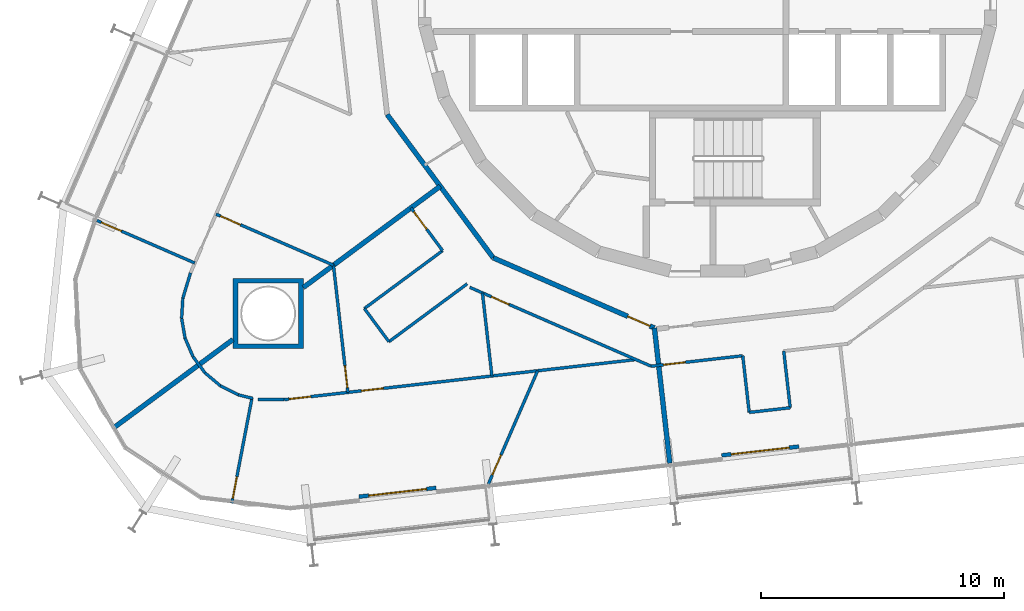
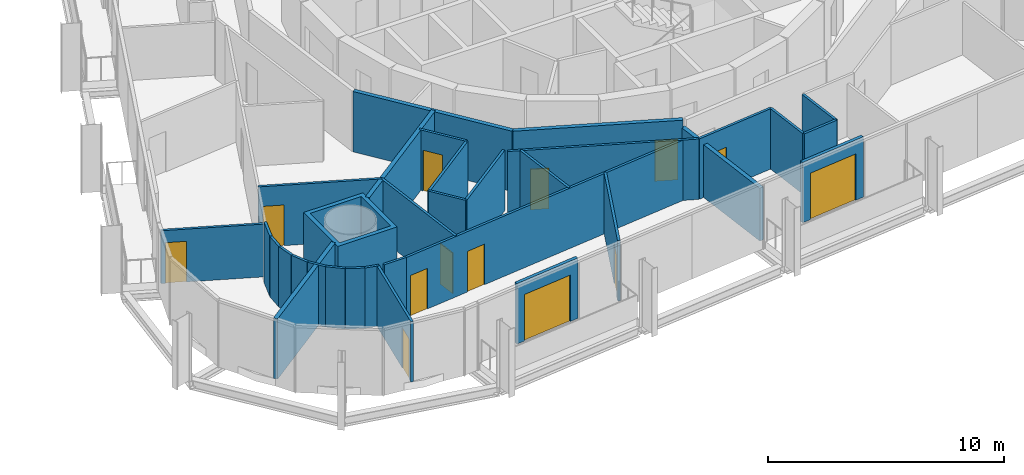
# One storey, part 16 of 24: 33 walls, 13 doors, 13 openings.
"""IFC4 building model written with IfcOpenShell, lengths in metres."""

from ifc_helpers import new_model, si_unit, direction, frame, frame_2d, origin, place, context, subcontext, project, spatial, polyline, rectangle, outline, extrude, material, layer, layer_set, type_object, element, fill, save


model = new_model("IFC4")

# Units and contexts
model_context = context("Model", 3, precision=1e-05, world=origin(), true_north=direction((0.0, 1.0)))
body_context = subcontext(model_context, "Body", "Model", "MODEL_VIEW")
ifc_project = project(units=[si_unit("LENGTHUNIT", "METRE"), si_unit("AREAUNIT", "SQUARE_METRE"), si_unit("VOLUMEUNIT", "CUBIC_METRE"), si_unit("PLANEANGLEUNIT", "RADIAN"), si_unit("MASSUNIT", "GRAM", prefix="KILO")], contexts=[model_context])

# Site, building, storey
site_placement = place(None, origin())
site = spatial("IfcSite", under=ifc_project, at=site_placement, CompositionType="ELEMENT")
building_placement = place(site_placement, origin())
building = spatial("IfcBuilding", under=site, at=building_placement, Name="Spindle Arch Residences", CompositionType="ELEMENT")
storey_placement = place(building_placement, frame((0.0, 0.0, 94.199951171875)))
storey = spatial("IfcBuildingStorey", under=building, at=storey_placement, Name="L22", CompositionType="ELEMENT", Elevation=94.199951171875)

# Wall
ifc_material_1 = material(Name="Calcium silicate block, plastered")
ifc_layer_1 = layer(ifc_material_1, 0.199951171875)
ifc_layer_set_1 = layer_set([ifc_layer_1], Name="Corridor wall 200")
wall_type_1 = type_object("IfcWallType", Name="Corridor wall 200", PredefinedType="STANDARD", material=ifc_layer_set_1)
wall_1_placement = place(storey_placement, frame((-13.1962890625, -5.1982421875, 0.0), z_axis=(0.0, 0.0, 1.0), x_axis=(0.594805187394, -0.803869883159, 0.0)))
element("IfcWall", 1, at=wall_1_placement, inside=storey, type_object=wall_type_1, Name="Corridor wall R2B1-W012", PredefinedType="STANDARD", context=body_context, shape_type="SweptSolid", body=[
    extrude(rectangle(XDim=7.341796875, YDim=0.199951171875, at=frame_2d((3.6708984375, 0.0))), origin(), (0.0, 0.0, 1.0), 3.1201171875),
])

# Wall, opening, door
wall_2_placement = place(storey_placement, frame((-8.829345703125, -11.10009765625, 0.0), z_axis=(0.0, 0.0, 1.0), x_axis=(0.917063622491, -0.398740908742, 0.0)))
wall_2 = element("IfcWall", 2, at=wall_2_placement, inside=storey, type_object=wall_type_1, Name="Corridor wall R2B1-W013", PredefinedType="STANDARD", context=body_context, shape_type="SweptSolid", body=[
    extrude(rectangle(XDim=7.239501953125, YDim=0.199951171875, at=frame_2d((3.61962890625, 0.0))), origin(), (0.0, 0.0, 1.0), 3.1201171875),
])
opening_1_placement = place(wall_2_placement, frame((6.03955078125, 0.0, 0.0)))
opening_1 = element("IfcOpeningElement", 3, at=opening_1_placement, cuts=wall_2, Name="Opening R2B1-FD04", PredefinedType="OPENING", context=body_context, shape_type="SweptSolid", body=[
    extrude(rectangle(XDim=1.0, YDim=2.10009765625, at=frame_2d((0.5, 1.050048828125))), frame((0.0, 0.10986328125, 0.0), z_axis=(0.0, -1.0, 0.0), x_axis=(1.0, 0.0, 0.0)), (0.0, 0.0, 1.0), 0.219970703125),
])
ifc_material_2 = material(Name="Timber, fire-resisting door set", Category="wood")
door_type_1 = type_object("IfcDoorType", Name="Flat entrance door 1000x2100", OperationType="NOTDEFINED", PredefinedType="DOOR", material=ifc_material_2)
door_1_placement = place(opening_1_placement, origin())
door_1 = element("IfcDoor", 4, at=door_1_placement, inside=storey, type_object=door_type_1, Name="Flat entrance door R2B1-FD04", OperationType="SINGLE_SWING_LEFT", OverallHeight=2.10009765625, OverallWidth=1.0, PredefinedType="DOOR", context=body_context, shape_type="SweptSolid", body=[
    extrude(rectangle(XDim=1.0, YDim=2.10009765625, at=frame_2d((0.5, 1.050048828125))), frame((0.0, 0.02490234375, 0.0), z_axis=(0.0, -1.0, 0.0), x_axis=(1.0, 0.0, 0.0)), (0.0, 0.0, 1.0), 0.050048828125),
])
fill(opening_1, door_1)

ifc_material_3 = material(Name="Plasterboard on steel studs", Category="steel")
ifc_layer_2 = layer(ifc_material_3, 0.1201171875)
ifc_layer_set_2 = layer_set([ifc_layer_2], Name="Flat partition 120")
wall_type_2 = type_object("IfcWallType", Name="Flat partition 120", PredefinedType="PARTITIONING", material=ifc_layer_set_2)
wall_3_placement = place(storey_placement, frame((-20.2451171875, -9.30029296875, 0.0), z_axis=(0.0, 0.0, 1.0), x_axis=(0.91706784774, -0.398731190956, 0.0)))
wall_3 = element("IfcWall", 5, at=wall_3_placement, inside=storey, type_object=wall_type_2, Name="Flat partition R2B1-W068", PredefinedType="PARTITIONING", context=body_context, shape_type="SweptSolid", body=[
    extrude(rectangle(XDim=5.2724609375, YDim=0.1201171875, at=frame_2d((2.63623046875, 0.0))), origin(), (0.0, 0.0, 1.0), 3.1201171875),
])
opening_2_placement = place(wall_3_placement, frame((0.199951171875, 0.0, 0.0)))
opening_2 = element("IfcOpeningElement", 6, at=opening_2_placement, cuts=wall_3, Name="Opening R2B1-ID15", PredefinedType="OPENING", context=body_context, shape_type="SweptSolid", body=[
    extrude(rectangle(XDim=0.89990234375, YDim=2.10009765625, at=frame_2d((0.449951171875, 1.050048828125))), frame((0.0, 0.070068359375, 0.0), z_axis=(0.0, -1.0, 0.0), x_axis=(1.0, 0.0, 0.0)), (0.0, 0.0, 1.0), 0.14013671875),
])
ifc_material_4 = material(Name="Timber door set", Category="wood")
door_type_2 = type_object("IfcDoorType", Name="Room door 900x2100", OperationType="NOTDEFINED", PredefinedType="DOOR", material=ifc_material_4)
door_2_placement = place(opening_2_placement, origin())
door_2 = element("IfcDoor", 7, at=door_2_placement, inside=storey, type_object=door_type_2, Name="Room door R2B1-ID15", OperationType="SINGLE_SWING_RIGHT", OverallHeight=2.10009765625, OverallWidth=0.89990234375, PredefinedType="DOOR", context=body_context, shape_type="SweptSolid", body=[
    extrude(rectangle(XDim=0.89990234375, YDim=2.10009765625, at=frame_2d((0.449951171875, 1.050048828125))), frame((0.0, 0.02490234375, 0.0), z_axis=(0.0, -1.0, 0.0), x_axis=(1.0, 0.0, 0.0)), (0.0, 0.0, 1.0), 0.050048828125),
])
fill(opening_2, door_2)

# Walls
for number, where, z_axis, x_axis, name in (
    (8, (-20.702880859375, -15.834716796875, 0.0), (0.0, 0.0, 1.0), (-0.594755442796, 0.803906688158, 0.0), "Flat partition R2B1-W073"),
    (9, (-21.19580078125, -15.16845703125, 0.0), (0.0, 0.0, 1.0), (-0.393528213057, 0.919312539634, 0.0), "Flat partition R2B1-W074"),
):
    element("IfcWall", number, at=place(storey_placement, frame(where, z_axis=z_axis, x_axis=x_axis)), inside=storey, type_object=wall_type_2, Name=name, PredefinedType="PARTITIONING", context=body_context, shape_type="SweptSolid", body=[
        extrude(rectangle(XDim=0.828857421875, YDim=0.1201171875, at=frame_2d((0.41455078125, 0.0))), origin(), (0.0, 0.0, 1.0), 3.1201171875),
    ])
wall_4_placement = place(storey_placement, frame((-21.52197265625, -14.406494140625, 0.0), z_axis=(0.0, 0.0, 1.0), x_axis=(-0.170794347099, 0.985306698952, 0.0)))
element("IfcWall", 10, at=wall_4_placement, inside=storey, type_object=wall_type_2, Name="Flat partition R2B1-W075", PredefinedType="PARTITIONING", context=body_context, shape_type="SweptSolid", body=[
    extrude(rectangle(XDim=0.8291015625, YDim=0.1201171875, at=frame_2d((0.41455078125, 0.0))), origin(), (0.0, 0.0, 1.0), 3.1201171875),
])
wall_5_placement = place(storey_placement, frame((-21.66357421875, -13.589599609375, 0.0), z_axis=(0.0, 0.0, 1.0), x_axis=(0.061277779288, 0.998120751095, 0.0)))
element("IfcWall", 11, at=wall_5_placement, inside=storey, type_object=wall_type_2, Name="Flat partition R2B1-W076", PredefinedType="PARTITIONING", context=body_context, shape_type="SweptSolid", body=[
    extrude(rectangle(XDim=0.82861328125, YDim=0.1201171875, at=frame_2d((0.414306640625, 0.0))), origin(), (0.0, 0.0, 1.0), 3.1201171875),
])
wall_6_placement = place(storey_placement, frame((-21.61279296875, -12.762451171875, 0.0), z_axis=(0.0, 0.0, 1.0), x_axis=(0.289552239308, 0.95716221233, 0.0)))
element("IfcWall", 12, at=wall_6_placement, inside=storey, type_object=wall_type_2, Name="Flat partition R2B1-W077", PredefinedType="PARTITIONING", context=body_context, shape_type="SweptSolid", body=[
    extrude(rectangle(XDim=1.0869140625, YDim=0.1201171875, at=frame_2d((0.54345703125, 0.0))), origin(), (0.0, 0.0, 1.0), 3.1201171875),
])

# Wall, opening, door
wall_7_placement = place(storey_placement, frame((-12.218505859375, -9.041259765625, 0.0), z_axis=(0.0, 0.0, 1.0), x_axis=(0.59482286703, -0.803856801214, 0.0)))
wall_7 = element("IfcWall", 13, at=wall_7_placement, inside=storey, type_object=wall_type_2, Name="Flat partition R2B1-W078", PredefinedType="PARTITIONING", context=body_context, shape_type="SweptSolid", body=[
    extrude(rectangle(XDim=2.193359375, YDim=0.1201171875, at=frame_2d((1.0966796875, 0.0))), origin(), (0.0, 0.0, 1.0), 3.1201171875),
])
opening_3_placement = place(wall_7_placement, frame((0.199951171875, 0.0, 0.0)))
opening_3 = element("IfcOpeningElement", 14, at=opening_3_placement, cuts=wall_7, Name="Opening R2B1-ID19", PredefinedType="OPENING", context=body_context, shape_type="SweptSolid", body=[
    extrude(rectangle(XDim=0.89990234375, YDim=2.10009765625, at=frame_2d((0.449951171875, 1.050048828125))), frame((0.0, 0.070068359375, 0.0), z_axis=(0.0, -1.0, 0.0), x_axis=(1.0, 0.0, 0.0)), (0.0, 0.0, 1.0), 0.14013671875),
])
door_3_placement = place(opening_3_placement, origin())
door_3 = element("IfcDoor", 15, at=door_3_placement, inside=storey, type_object=door_type_2, Name="Room door R2B1-ID19", OperationType="SINGLE_SWING_LEFT", OverallHeight=2.10009765625, OverallWidth=0.89990234375, PredefinedType="DOOR", context=body_context, shape_type="SweptSolid", body=[
    extrude(rectangle(XDim=0.89990234375, YDim=2.10009765625, at=frame_2d((0.449951171875, 1.050048828125))), frame((0.0, 0.02490234375, 0.0), z_axis=(0.0, -1.0, 0.0), x_axis=(1.0, 0.0, 0.0)), (0.0, 0.0, 1.0), 0.050048828125),
])
fill(opening_3, door_3)

# Walls
wall_8_placement = place(storey_placement, frame((-10.913818359375, -10.804443359375, 0.0), z_axis=(0.0, 0.0, 1.0), x_axis=(-0.803864616889, -0.594812304609, 0.0)))
element("IfcWall", 16, at=wall_8_placement, inside=storey, type_object=wall_type_2, Name="Flat partition R2B1-W079", PredefinedType="PARTITIONING", context=body_context, shape_type="SweptSolid", body=[
    extrude(rectangle(XDim=4.008056640625, YDim=0.1201171875, at=frame_2d((2.00390625, 0.0))), origin(), (0.0, 0.0, 1.0), 3.1201171875),
])
wall_9_placement = place(storey_placement, frame((-14.1357421875, -13.1884765625, 0.0), z_axis=(0.0, 0.0, 1.0), x_axis=(0.594863421241, -0.803826791087, 0.0)))
element("IfcWall", 17, at=wall_9_placement, inside=storey, type_object=wall_type_2, Name="Flat partition R2B1-W080", PredefinedType="PARTITIONING", context=body_context, shape_type="SweptSolid", body=[
    extrude(rectangle(XDim=1.699951171875, YDim=0.1201171875, at=frame_2d((0.85009765625, 0.0))), origin(), (0.0, 0.0, 1.0), 3.1201171875),
])
wall_10_placement = place(storey_placement, frame((-13.12451171875, -14.554931640625, 0.0), z_axis=(0.0, 0.0, 1.0), x_axis=(0.80389374229, 0.594772940799, 0.0)))
element("IfcWall", 18, at=wall_10_placement, inside=storey, type_object=wall_type_2, Name="Flat partition R2B1-W081", PredefinedType="PARTITIONING", context=body_context, shape_type="SweptSolid", body=[
    extrude(rectangle(XDim=4.0078125, YDim=0.1201171875, at=frame_2d((2.00390625, 0.0))), origin(), (0.0, 0.0, 1.0), 3.1201171875),
])

# Wall, opening, door
wall_11_placement = place(storey_placement, frame((-9.7958984375, -12.315185546875, 0.0), z_axis=(0.0, 0.0, 1.0), x_axis=(0.917059572812, -0.398750222463, 0.0)))
wall_11 = element("IfcWall", 19, at=wall_11_placement, inside=storey, type_object=wall_type_2, Name="Flat partition R2B1-W082", PredefinedType="PARTITIONING", context=body_context, shape_type="SweptSolid", body=[
    extrude(rectangle(XDim=8.1455078125, YDim=0.1201171875, at=frame_2d((4.07275390625, 0.0))), origin(), (0.0, 0.0, 1.0), 3.1201171875),
])
opening_4_placement = place(wall_11_placement, frame((0.969482421875, 0.0, 0.0)))
opening_4 = element("IfcOpeningElement", 20, at=opening_4_placement, cuts=wall_11, Name="Opening R2B1-BD04", PredefinedType="OPENING", context=body_context, shape_type="SweptSolid", body=[
    extrude(rectangle(XDim=0.800048828125, YDim=2.10009765625, at=frame_2d((0.39990234375, 1.050048828125))), frame((0.0, 0.070068359375, 0.0), z_axis=(0.0, -1.0, 0.0), x_axis=(1.0, 0.0, 0.0)), (0.0, 0.0, 1.0), 0.14013671875),
])
ifc_material_5 = material(Name="Timber door set", Category="wood")
door_type_3 = type_object("IfcDoorType", Name="Bathroom door 800x2100", OperationType="NOTDEFINED", PredefinedType="DOOR", material=ifc_material_5)
door_4_placement = place(opening_4_placement, origin())
door_4 = element("IfcDoor", 21, at=door_4_placement, inside=storey, type_object=door_type_3, Name="Bathroom door R2B1-BD04", OperationType="SINGLE_SWING_LEFT", OverallHeight=2.10009765625, OverallWidth=0.800048828125, PredefinedType="DOOR", context=body_context, shape_type="SweptSolid", body=[
    extrude(rectangle(XDim=0.800048828125, YDim=2.10009765625, at=frame_2d((0.39990234375, 1.050048828125))), frame((0.0, 0.02490234375, 0.0), z_axis=(0.0, -1.0, 0.0), x_axis=(1.0, 0.0, 0.0)), (0.0, 0.0, 1.0), 0.050048828125),
])
fill(opening_4, door_4)

wall_12_placement = place(storey_placement, frame((-2.325927734375, -15.563232421875, 0.0), z_axis=(0.0, 0.0, 1.0), x_axis=(0.993575068384, 0.113175012641, 0.0)))
wall_12 = element("IfcWall", 22, at=wall_12_placement, inside=storey, type_object=wall_type_2, Name="Flat partition R2B1-W083", PredefinedType="PARTITIONING", context=body_context, shape_type="SweptSolid", body=[
    extrude(rectangle(XDim=3.798828125, YDim=0.1201171875, at=frame_2d((1.8994140625, 0.0))), origin(), (0.0, 0.0, 1.0), 3.1201171875),
])
opening_5_placement = place(wall_12_placement, frame((0.513427734375, 0.0, 0.0)))
opening_5 = element("IfcOpeningElement", 23, at=opening_5_placement, cuts=wall_12, Name="Opening R2B1-ID25", PredefinedType="OPENING", context=body_context, shape_type="SweptSolid", body=[
    extrude(rectangle(XDim=0.89990234375, YDim=2.10009765625, at=frame_2d((0.449951171875, 1.050048828125))), frame((0.0, 0.070068359375, 0.0), z_axis=(0.0, -1.0, 0.0), x_axis=(1.0, 0.0, 0.0)), (0.0, 0.0, 1.0), 0.14013671875),
])
door_5_placement = place(opening_5_placement, origin())
door_5 = element("IfcDoor", 24, at=door_5_placement, inside=storey, type_object=door_type_2, Name="Room door R2B1-ID25", OperationType="SINGLE_SWING_LEFT", OverallHeight=2.10009765625, OverallWidth=0.89990234375, PredefinedType="DOOR", context=body_context, shape_type="SweptSolid", body=[
    extrude(rectangle(XDim=0.89990234375, YDim=2.10009765625, at=frame_2d((0.449951171875, 1.050048828125))), frame((0.0, 0.02490234375, 0.0), z_axis=(0.0, -1.0, 0.0), x_axis=(1.0, 0.0, 0.0)), (0.0, 0.0, 1.0), 0.050048828125),
])
fill(opening_5, door_5)

# Walls
wall_13_placement = place(storey_placement, frame((-18.727783203125, -16.88818359375, 0.0), z_axis=(0.0, 0.0, 1.0), x_axis=(-0.972351484507, 0.233522141512, 0.0)))
element("IfcWall", 25, at=wall_13_placement, inside=storey, type_object=wall_type_2, Name="Flat partition R2B1-W084", PredefinedType="PARTITIONING", context=body_context, shape_type="SweptSolid", body=[
    extrude(rectangle(XDim=0.618896484375, YDim=0.1201171875, at=frame_2d((0.3095703125, 0.0))), origin(), (0.0, 0.0, 1.0), 3.1201171875),
])
for number, where, z_axis, x_axis, name in (
    (26, (-19.32958984375, -16.74365234375, 0.0), (0.0, 0.0, 1.0), (-0.89229682893, 0.451449187706, 0.0), "Flat partition R2B1-W085"),
    (27, (-20.0693359375, -16.369384765625, 0.0), (0.0, 0.0, 1.0), (-0.764223440539, 0.644951574097, 0.0), "Flat partition R2B1-W086"),
):
    element("IfcWall", number, at=place(storey_placement, frame(where, z_axis=z_axis, x_axis=x_axis)), inside=storey, type_object=wall_type_2, Name=name, PredefinedType="PARTITIONING", context=body_context, shape_type="SweptSolid", body=[
        extrude(rectangle(XDim=0.8291015625, YDim=0.1201171875, at=frame_2d((0.41455078125, 0.0))), origin(), (0.0, 0.0, 1.0), 3.1201171875),
    ])

# Wall, opening, door
wall_14_placement = place(storey_placement, frame((-19.595703125, -21.204833984375, 0.0), z_axis=(0.0, 0.0, 1.0), x_axis=(0.188168961647, 0.982136671687, 0.0)))
wall_14 = element("IfcWall", 28, at=wall_14_placement, inside=storey, type_object=wall_type_2, Name="Flat partition R2B1-W087", PredefinedType="PARTITIONING", context=body_context, shape_type="SweptSolid", body=[
    extrude(rectangle(XDim=4.40478515625, YDim=0.1201171875, at=frame_2d((2.202392578125, 0.0))), origin(), (0.0, 0.0, 1.0), 3.1201171875),
])
opening_6_placement = place(wall_14_placement, frame((0.199951171875, 0.0, 0.0)))
opening_6 = element("IfcOpeningElement", 29, at=opening_6_placement, cuts=wall_14, Name="Opening R2B1-ID22", PredefinedType="OPENING", context=body_context, shape_type="SweptSolid", body=[
    extrude(rectangle(XDim=0.89990234375, YDim=2.10009765625, at=frame_2d((0.449951171875, 1.050048828125))), frame((0.0, 0.070068359375, 0.0), z_axis=(0.0, -1.0, 0.0), x_axis=(1.0, 0.0, 0.0)), (0.0, 0.0, 1.0), 0.14013671875),
])
door_6_placement = place(opening_6_placement, origin())
door_6 = element("IfcDoor", 30, at=door_6_placement, inside=storey, type_object=door_type_2, Name="Room door R2B1-ID22", OperationType="SINGLE_SWING_LEFT", OverallHeight=2.10009765625, OverallWidth=0.89990234375, PredefinedType="DOOR", context=body_context, shape_type="SweptSolid", body=[
    extrude(rectangle(XDim=0.89990234375, YDim=2.10009765625, at=frame_2d((0.449951171875, 1.050048828125))), frame((0.0, 0.02490234375, 0.0), z_axis=(0.0, -1.0, 0.0), x_axis=(1.0, 0.0, 0.0)), (0.0, 0.0, 1.0), 0.050048828125),
])
fill(opening_6, door_6)

wall_15_placement = place(storey_placement, frame((-14.81298828125, -16.641357421875, 0.0), z_axis=(0.0, 0.0, 1.0), x_axis=(-0.113210971478, 0.993570971767, 0.0)))
wall_15 = element("IfcWall", 31, at=wall_15_placement, inside=storey, type_object=wall_type_2, Name="Flat partition R2B1-W088", PredefinedType="PARTITIONING", context=body_context, shape_type="SweptSolid", body=[
    extrude(rectangle(XDim=5.272705078125, YDim=0.1201171875, at=frame_2d((2.63623046875, 0.0))), origin(), (0.0, 0.0, 1.0), 3.1201171875),
])
opening_7_placement = place(wall_15_placement, frame((0.199951171875, 0.0, 0.0)))
opening_7 = element("IfcOpeningElement", 32, at=opening_7_placement, cuts=wall_15, Name="Opening R2B1-ID20", PredefinedType="OPENING", context=body_context, shape_type="SweptSolid", body=[
    extrude(rectangle(XDim=0.89990234375, YDim=2.10009765625, at=frame_2d((0.449951171875, 1.050048828125))), frame((0.0, 0.070068359375, 0.0), z_axis=(0.0, -1.0, 0.0), x_axis=(1.0, 0.0, 0.0)), (0.0, 0.0, 1.0), 0.14013671875),
])
door_7_placement = place(opening_7_placement, origin())
door_7 = element("IfcDoor", 33, at=door_7_placement, inside=storey, type_object=door_type_2, Name="Room door R2B1-ID20", OperationType="SINGLE_SWING_LEFT", OverallHeight=2.10009765625, OverallWidth=0.89990234375, PredefinedType="DOOR", context=body_context, shape_type="SweptSolid", body=[
    extrude(rectangle(XDim=0.89990234375, YDim=2.10009765625, at=frame_2d((0.449951171875, 1.050048828125))), frame((0.0, 0.02490234375, 0.0), z_axis=(0.0, -1.0, 0.0), x_axis=(1.0, 0.0, 0.0)), (0.0, 0.0, 1.0), 0.050048828125),
])
fill(opening_7, door_7)

# Wall
wall_16_placement = place(storey_placement, frame((-18.523681640625, -16.93701171875, 0.0), z_axis=(0.0, 0.0, 1.0), x_axis=(0.999995736722, -0.00292002349, 0.0)))
element("IfcWall", 34, at=wall_16_placement, inside=storey, type_object=wall_type_2, Name="Flat partition R2B1-W089", PredefinedType="PARTITIONING", context=body_context, shape_type="SweptSolid", body=[
    extrude(rectangle(XDim=1.0869140625, YDim=0.1201171875, at=frame_2d((0.54345703125, 0.0))), origin(), (0.0, 0.0, 1.0), 3.1201171875),
])

# Wall, openings, doors
wall_17_placement = place(storey_placement, frame((-17.436767578125, -16.940185546875, 0.0), z_axis=(0.0, 0.0, 1.0), x_axis=(0.993573314119, 0.113190412448, 0.0)))
wall_17 = element("IfcWall", 35, at=wall_17_placement, inside=storey, type_object=wall_type_2, Name="Flat partition R2B1-W090", PredefinedType="PARTITIONING", context=body_context, shape_type="SweptSolid", body=[
    extrude(rectangle(XDim=14.576416015625, YDim=0.1201171875, at=frame_2d((7.2880859375, 0.0))), origin(), (0.0, 0.0, 1.0), 3.1201171875),
])
opening_8_placement = place(wall_17_placement, frame((3.20068359375, 0.0, 0.0)))
opening_8 = element("IfcOpeningElement", 36, at=opening_8_placement, cuts=wall_17, Name="Opening R2B1-ID21", PredefinedType="OPENING", context=body_context, shape_type="SweptSolid", body=[
    extrude(rectangle(XDim=0.89990234375, YDim=2.10009765625, at=frame_2d((0.449951171875, 1.050048828125))), frame((0.0, 0.070068359375, 0.0), z_axis=(0.0, -1.0, 0.0), x_axis=(1.0, 0.0, 0.0)), (0.0, 0.0, 1.0), 0.14013671875),
])
opening_9_placement = place(wall_17_placement, frame((0.199951171875, 0.0, 0.0)))
opening_9 = element("IfcOpeningElement", 37, at=opening_9_placement, cuts=wall_17, Name="Opening R2B1-ID24", PredefinedType="OPENING", context=body_context, shape_type="SweptSolid", body=[
    extrude(rectangle(XDim=0.89990234375, YDim=2.10009765625, at=frame_2d((0.449951171875, 1.050048828125))), frame((0.0, 0.070068359375, 0.0), z_axis=(0.0, -1.0, 0.0), x_axis=(1.0, 0.0, 0.0)), (0.0, 0.0, 1.0), 0.14013671875),
])
door_8_placement = place(opening_8_placement, origin())
door_8 = element("IfcDoor", 38, at=door_8_placement, inside=storey, type_object=door_type_2, Name="Room door R2B1-ID21", OperationType="SINGLE_SWING_LEFT", OverallHeight=2.10009765625, OverallWidth=0.89990234375, PredefinedType="DOOR", context=body_context, shape_type="SweptSolid", body=[
    extrude(rectangle(XDim=0.89990234375, YDim=2.10009765625, at=frame_2d((0.449951171875, 1.050048828125))), frame((0.0, 0.02490234375, 0.0), z_axis=(0.0, -1.0, 0.0), x_axis=(1.0, 0.0, 0.0)), (0.0, 0.0, 1.0), 0.050048828125),
])
fill(opening_8, door_8)
door_9_placement = place(opening_9_placement, origin())
door_9 = element("IfcDoor", 39, at=door_9_placement, inside=storey, type_object=door_type_2, Name="Room door R2B1-ID24", OperationType="SINGLE_SWING_LEFT", OverallHeight=2.10009765625, OverallWidth=0.89990234375, PredefinedType="DOOR", context=body_context, shape_type="SweptSolid", body=[
    extrude(rectangle(XDim=0.89990234375, YDim=2.10009765625, at=frame_2d((0.449951171875, 1.050048828125))), frame((0.0, 0.02490234375, 0.0), z_axis=(0.0, -1.0, 0.0), x_axis=(1.0, 0.0, 0.0)), (0.0, 0.0, 1.0), 0.050048828125),
])
fill(opening_9, door_9)

# Wall
wall_18_placement = place(storey_placement, frame((-8.883544921875, -15.9658203125, 0.0), z_axis=(0.0, 0.0, 1.0), x_axis=(-0.113230836929, 0.993568708026, 0.0)))
element("IfcWall", 40, at=wall_18_placement, inside=storey, type_object=wall_type_2, Name="Flat partition R2B1-W091", PredefinedType="PARTITIONING", context=body_context, shape_type="SweptSolid", body=[
    extrude(rectangle(XDim=3.445556640625, YDim=0.1201171875, at=frame_2d((1.72265625, 0.0))), origin(), (0.0, 0.0, 1.0), 3.1201171875),
])

# Wall, opening, door
wall_19_placement = place(storey_placement, frame((-9.025634765625, -20.410400390625, 0.0), z_axis=(0.0, 0.0, 1.0), x_axis=(0.398750711167, 0.917059360316, 0.0)))
wall_19 = element("IfcWall", 41, at=wall_19_placement, inside=storey, type_object=wall_type_2, Name="Flat partition R2B1-W092", PredefinedType="PARTITIONING", context=body_context, shape_type="SweptSolid", body=[
    extrude(rectangle(XDim=5.08056640625, YDim=0.1201171875, at=frame_2d((2.540283203125, 0.0))), origin(), (0.0, 0.0, 1.0), 3.1201171875),
])
opening_10_placement = place(wall_19_placement, frame((0.39990234375, 0.0, 0.0)))
opening_10 = element("IfcOpeningElement", 42, at=opening_10_placement, cuts=wall_19, Name="Opening R2B1-ID23", PredefinedType="OPENING", context=body_context, shape_type="SweptSolid", body=[
    extrude(rectangle(XDim=0.89990234375, YDim=2.10009765625, at=frame_2d((0.449951171875, 1.050048828125))), frame((0.0, 0.070068359375, 0.0), z_axis=(0.0, -1.0, 0.0), x_axis=(1.0, 0.0, 0.0)), (0.0, 0.0, 1.0), 0.14013671875),
])
door_10_placement = place(opening_10_placement, origin())
door_10 = element("IfcDoor", 43, at=door_10_placement, inside=storey, type_object=door_type_2, Name="Room door R2B1-ID23", OperationType="SINGLE_SWING_RIGHT", OverallHeight=2.10009765625, OverallWidth=0.89990234375, PredefinedType="DOOR", context=body_context, shape_type="SweptSolid", body=[
    extrude(rectangle(XDim=0.89990234375, YDim=2.10009765625, at=frame_2d((0.449951171875, 1.050048828125))), frame((0.0, 0.02490234375, 0.0), z_axis=(0.0, -1.0, 0.0), x_axis=(1.0, 0.0, 0.0)), (0.0, 0.0, 1.0), 0.050048828125),
])
fill(opening_10, door_10)

# Walls
wall_20_placement = place(storey_placement, frame((1.448486328125, -15.13330078125, 0.0), z_axis=(0.0, 0.0, 1.0), x_axis=(0.113180189053, -0.993574478741, 0.0)))
element("IfcWall", 44, at=wall_20_placement, inside=storey, type_object=wall_type_2, Name="Flat partition R2B1-W093", PredefinedType="PARTITIONING", context=body_context, shape_type="SweptSolid", body=[
    extrude(rectangle(XDim=2.34912109375, YDim=0.1201171875, at=frame_2d((1.174560546875, 0.0))), origin(), (0.0, 0.0, 1.0), 3.1201171875),
])
wall_21_placement = place(storey_placement, frame((1.71435546875, -17.46728515625, 0.0), z_axis=(0.0, 0.0, 1.0), x_axis=(0.993577030812, 0.113157782957, 0.0)))
element("IfcWall", 45, at=wall_21_placement, inside=storey, type_object=wall_type_2, Name="Flat partition R2B1-W094", PredefinedType="PARTITIONING", context=body_context, shape_type="SweptSolid", body=[
    extrude(rectangle(XDim=1.7001953125, YDim=0.1201171875, at=frame_2d((0.85009765625, 0.0))), origin(), (0.0, 0.0, 1.0), 3.1201171875),
])
wall_22_placement = place(storey_placement, frame((3.403564453125, -17.27490234375, 0.0), z_axis=(0.0, 0.0, 1.0), x_axis=(-0.113180189053, 0.993574478741, 0.0)))
element("IfcWall", 46, at=wall_22_placement, inside=storey, type_object=wall_type_2, Name="Flat partition R2B1-W095", PredefinedType="PARTITIONING", context=body_context, shape_type="SweptSolid", body=[
    extrude(rectangle(XDim=2.34912109375, YDim=0.1201171875, at=frame_2d((1.174560546875, 0.0))), origin(), (0.0, 0.0, 1.0), 3.1201171875),
])

# Wall, opening, door
ifc_material_6 = material(Name="Plasterboard on steel studs", Category="steel")
ifc_layer_3 = layer(ifc_material_6, 0.1201171875)
ifc_layer_set_3 = layer_set([ifc_layer_3], Name="Flat partition 120 under beam 2730")
wall_type_3 = type_object("IfcWallType", Name="Flat partition 120 under beam 2730", PredefinedType="PARTITIONING", material=ifc_layer_set_3)
wall_23_placement = place(storey_placement, frame((-25.155517578125, -9.55908203125, 0.0), z_axis=(0.0, 0.0, 1.0), x_axis=(0.917042707292, -0.398789008127, 0.0)))
wall_23 = element("IfcWall", 47, at=wall_23_placement, inside=storey, type_object=wall_type_3, Name="Flat partition R2B1-W072", PredefinedType="PARTITIONING", context=body_context, shape_type="SweptSolid", body=[
    extrude(rectangle(XDim=4.39990234375, YDim=0.1201171875, at=frame_2d((2.199951171875, 0.0))), origin(), (0.0, 0.0, 1.0), 2.72998046875),
])
opening_11_placement = place(wall_23_placement, frame((0.199951171875, 0.0, 0.0)))
opening_11 = element("IfcOpeningElement", 48, at=opening_11_placement, cuts=wall_23, Name="Opening R2B1-ID17", PredefinedType="OPENING", context=body_context, shape_type="SweptSolid", body=[
    extrude(rectangle(XDim=0.89990234375, YDim=2.10009765625, at=frame_2d((0.449951171875, 1.050048828125))), frame((0.0, 0.070068359375, 0.0), z_axis=(0.0, -1.0, 0.0), x_axis=(1.0, 0.0, 0.0)), (0.0, 0.0, 1.0), 0.14013671875),
])
door_11_placement = place(opening_11_placement, origin())
door_11 = element("IfcDoor", 49, at=door_11_placement, inside=storey, type_object=door_type_2, Name="Room door R2B1-ID17", OperationType="SINGLE_SWING_RIGHT", OverallHeight=2.10009765625, OverallWidth=0.89990234375, PredefinedType="DOOR", context=body_context, shape_type="SweptSolid", body=[
    extrude(rectangle(XDim=0.89990234375, YDim=2.10009765625, at=frame_2d((0.449951171875, 1.050048828125))), frame((0.0, 0.02490234375, 0.0), z_axis=(0.0, -1.0, 0.0), x_axis=(1.0, 0.0, 0.0)), (0.0, 0.0, 1.0), 0.050048828125),
])
fill(opening_11, door_11)

# Walls
ifc_material_7 = material(Name="Calcium silicate block, plastered")
ifc_layer_4 = layer(ifc_material_7, 0.199951171875)
ifc_layer_set_4 = layer_set([ifc_layer_4], Name="Flat party wall 200")
wall_type_4 = type_object("IfcWallType", Name="Flat party wall 200", PredefinedType="STANDARD", material=ifc_layer_set_4)
wall_24_placement = place(storey_placement, frame((-16.64892578125, -12.319580078125, 0.0), z_axis=(0.0, 0.0, 1.0), x_axis=(0.803869204071, 0.594806105169, 0.0)))
element("IfcWall", 50, at=wall_24_placement, inside=storey, type_object=wall_type_4, Name="Flat party wall R2B1-W021", PredefinedType="STANDARD", context=body_context, shape_type="SweptSolid", body=[
    extrude(rectangle(XDim=7.011474609375, YDim=0.199951171875, at=frame_2d((3.505859375, 0.0))), origin(), (0.0, 0.0, 1.0), 3.1201171875),
])
wall_25_placement = place(storey_placement, frame((-24.486083984375, -18.118896484375, 0.0), z_axis=(0.0, 0.0, 1.0), x_axis=(0.80384227933, 0.594842491726, 0.0)))
element("IfcWall", 51, at=wall_25_placement, inside=storey, type_object=wall_type_4, Name="Flat party wall R2B1-W022", PredefinedType="STANDARD", context=body_context, shape_type="SweptSolid", body=[
    extrude(rectangle(XDim=6.14208984375, YDim=0.199951171875, at=frame_2d((3.071044921875, 0.0))), origin(), (0.0, 0.0, 1.0), 3.1201171875),
])
ifc_material_8 = material(Name="Calcium silicate block, plastered")
ifc_layer_5 = layer(ifc_material_8, 0.199951171875)
ifc_layer_set_5 = layer_set([ifc_layer_5], Name="Flat party wall 200 under beam 2730")
wall_type_5 = type_object("IfcWallType", Name="Flat party wall 200 under beam 2730", PredefinedType="STANDARD", material=ifc_layer_set_5)
wall_26_placement = place(storey_placement, frame((-1.55517578125, -19.559326171875, 0.0), z_axis=(0.0, 0.0, 1.0), x_axis=(-0.113221250863, 0.993569800443, 0.0)))
element("IfcWall", 52, at=wall_26_placement, inside=storey, type_object=wall_type_5, Name="Flat party wall R2B1-W023", PredefinedType="STANDARD", context=body_context, shape_type="SweptSolid", body=[
    extrude(rectangle(XDim=5.608642578125, YDim=0.199951171875, at=frame_2d((2.80419921875, 0.0))), origin(), (0.0, 0.0, 1.0), 2.72998046875),
])

# Wall, opening, door
ifc_material_9 = material(Name="Non-combustible mineral wool insulated aluminium faced external wall (K0)", Category="aluminium")
ifc_layer_6 = layer(ifc_material_9, 0.159912109375)
ifc_layer_set_6 = layer_set([ifc_layer_6], Name="Insulated external wall panel 160")
wall_type_6 = type_object("IfcWallType", Name="Insulated external wall panel 160", PredefinedType="STANDARD", material=ifc_layer_set_6)
wall_27_placement = place(storey_placement, frame((-14.359619140625, -20.937744140625, 0.0), z_axis=(0.0, 0.0, 1.0), x_axis=(0.993569019005, 0.11322810814, 0.0)))
wall_27 = element("IfcWall", 53, at=wall_27_placement, inside=storey, type_object=wall_type_6, Name="External wall L22 bay 22", PredefinedType="STANDARD", context=body_context, shape_type="SweptSolid", body=[
    extrude(rectangle(XDim=3.19970703125, YDim=0.159912109375, at=frame_2d((1.599853515625, 0.0))), origin(), (0.0, 0.0, 1.0), 3.1201171875),
])
opening_12_placement = place(wall_27_placement, frame((0.39990234375, 0.0, 0.0)))
opening_12 = element("IfcOpeningElement", 54, at=opening_12_placement, cuts=wall_27, Name="Opening BD22", PredefinedType="OPENING", context=body_context, shape_type="SweptSolid", body=[
    extrude(rectangle(XDim=2.39990234375, YDim=2.39990234375, at=frame_2d((1.199951171875, 1.199951171875))), frame((0.0, 0.08984375, 0.0), z_axis=(0.0, -1.0, 0.0), x_axis=(1.0, 0.0, 0.0)), (0.0, 0.0, 1.0), 0.179931640625),
])
ifc_material_10 = material(Name="Bronze aluminium frame, tinted double glazing", Category="aluminium")
door_type_4 = type_object("IfcDoorType", Name="Sliding glazed balcony door 2400x2400", OperationType="DOUBLE_DOOR_SLIDING", PredefinedType="DOOR", material=ifc_material_10)
door_12_placement = place(opening_12_placement, origin())
door_12 = element("IfcDoor", 55, at=door_12_placement, inside=storey, type_object=door_type_4, Name="Balcony door BD22", OperationType="DOUBLE_DOOR_SLIDING", OverallHeight=2.39990234375, OverallWidth=2.39990234375, PredefinedType="DOOR", context=body_context, shape_type="SweptSolid", body=[
    extrude(rectangle(XDim=2.39990234375, YDim=2.39990234375, at=frame_2d((1.199951171875, 1.199951171875))), frame((0.0, 0.02490234375, 0.0), z_axis=(0.0, -1.0, 0.0), x_axis=(1.0, 0.0, 0.0)), (0.0, 0.0, 1.0), 0.050048828125),
])
fill(opening_12, door_12)

wall_28_placement = place(storey_placement, frame((0.581298828125, -19.2353515625, 0.0), z_axis=(0.0, 0.0, 1.0), x_axis=(0.993569997097, 0.113219525124, 0.0)))
wall_28 = element("IfcWall", 56, at=wall_28_placement, inside=storey, type_object=wall_type_6, Name="External wall L22 bay 24", PredefinedType="STANDARD", context=body_context, shape_type="SweptSolid", body=[
    extrude(rectangle(XDim=3.199951171875, YDim=0.159912109375, at=frame_2d((1.60009765625, 0.0))), origin(), (0.0, 0.0, 1.0), 3.1201171875),
])
opening_13_placement = place(wall_28_placement, frame((0.39990234375, 0.0, 0.0)))
opening_13 = element("IfcOpeningElement", 57, at=opening_13_placement, cuts=wall_28, Name="Opening BD24", PredefinedType="OPENING", context=body_context, shape_type="SweptSolid", body=[
    extrude(rectangle(XDim=2.39990234375, YDim=2.39990234375, at=frame_2d((1.199951171875, 1.199951171875))), frame((0.0, 0.08984375, 0.0), z_axis=(0.0, -1.0, 0.0), x_axis=(1.0, 0.0, 0.0)), (0.0, 0.0, 1.0), 0.179931640625),
])
door_13_placement = place(opening_13_placement, origin())
door_13 = element("IfcDoor", 58, at=door_13_placement, inside=storey, type_object=door_type_4, Name="Balcony door BD24", OperationType="DOUBLE_DOOR_SLIDING", OverallHeight=2.39990234375, OverallWidth=2.39990234375, PredefinedType="DOOR", context=body_context, shape_type="SweptSolid", body=[
    extrude(rectangle(XDim=2.39990234375, YDim=2.39990234375, at=frame_2d((1.199951171875, 1.199951171875))), frame((0.0, 0.02490234375, 0.0), z_axis=(0.0, -1.0, 0.0), x_axis=(1.0, 0.0, 0.0)), (0.0, 0.0, 1.0), 0.050048828125),
])
fill(opening_13, door_13)

# Wall
ifc_material_11 = material(Name="Calcium silicate block, plastered")
ifc_layer_7 = layer(ifc_material_11, 0.199951171875)
ifc_layer_set_7 = layer_set([ifc_layer_7], Name="Mega-column casing wall 200")
wall_type_7 = type_object("IfcWallType", Name="Mega-column casing wall 200", PredefinedType="STANDARD", material=ifc_layer_set_7)
wall_29_placement = place(storey_placement, origin())
element("IfcWall", 59, at=wall_29_placement, inside=storey, type_object=wall_type_7, Name="Mega-column casing wall R2B1-WC02", PredefinedType="STANDARD", context=body_context, shape_type="SweptSolid", body=[
    extrude(outline(polyline([(-16.64892578125, -11.9423828125), (-16.64892578125, -14.842529296875), (-19.548828125, -14.842529296875), (-19.548828125, -11.9423828125), (-16.64892578125, -11.9423828125)]), holes=[polyline([(-19.348876953125, -14.642578125), (-16.848876953125, -14.642578125), (-16.848876953125, -12.142578125), (-19.348876953125, -12.142578125), (-19.348876953125, -14.642578125)])]), origin(), (0.0, 0.0, 1.0), 3.1201171875),
])

save(model, "model.ifc")
